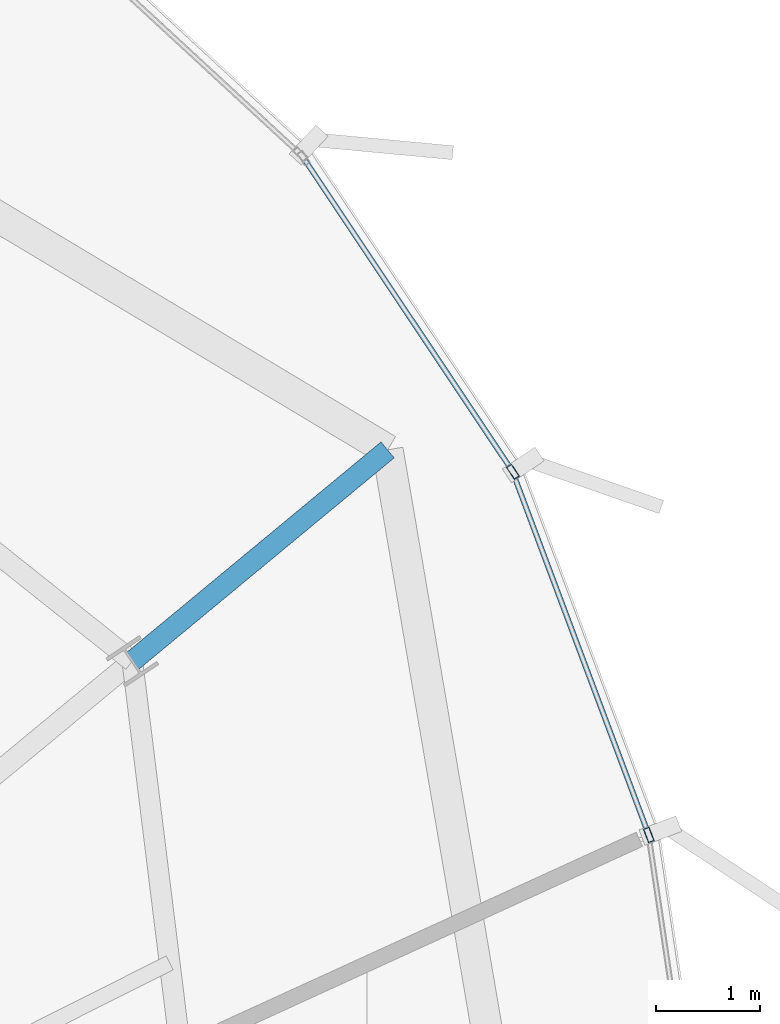
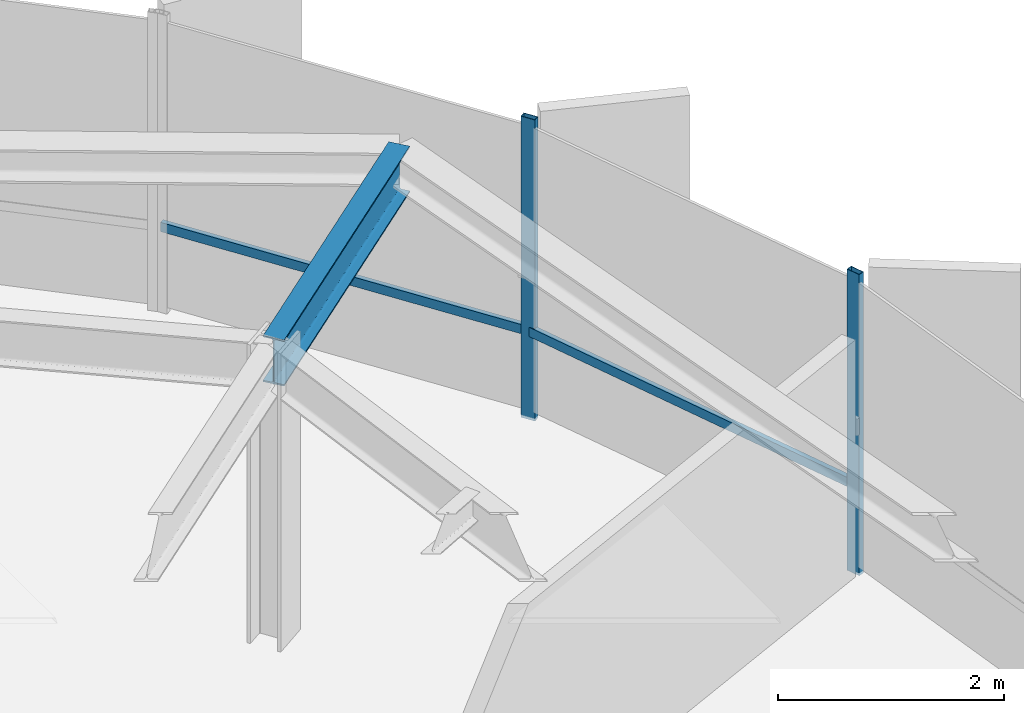
# One storey, part 27 of 36: 4 members, 1 beam, 1 element without a shape of its own.
"""IFC4 building model written with IfcOpenShell, lengths in metres."""

from ifc_helpers import new_model, si_unit, direction, frame, origin, origin_2d, place, context, subcontext, project, spatial, hollow_rectangle, i_section, extrude, source, transform, mapped, material, layer, layer_set, material_profile, profile_set, type_object, element, aggregate, save


model = new_model("IFC4")

# Units and contexts
model_context = context("Model", 3, precision=1e-05, world=origin(), true_north=direction((0.0, 1.0)))
body_context = subcontext(model_context, "Body", "Model", "MODEL_VIEW")
ifc_project = project(units=[si_unit("LENGTHUNIT", "METRE"), si_unit("AREAUNIT", "SQUARE_METRE"), si_unit("VOLUMEUNIT", "CUBIC_METRE"), si_unit("PLANEANGLEUNIT", "RADIAN"), si_unit("MASSUNIT", "GRAM", prefix="KILO"), si_unit("THERMODYNAMICTEMPERATUREUNIT", "KELVIN")], contexts=[model_context])

# Site, building, storey
site_placement = place(None, origin())
site = spatial("IfcSite", under=ifc_project, at=site_placement, CompositionType="ELEMENT")
building_placement = place(site_placement, origin())
building = spatial("IfcBuilding", under=site, at=building_placement, Name="Kethvar Cultural Tower", CompositionType="ELEMENT")
storey_placement = place(building_placement, frame((0.0, 0.0, 197.39990234375)))
storey = spatial("IfcBuildingStorey", under=building, at=storey_placement, Name="L51", CompositionType="ELEMENT", Elevation=197.39990234375)

# Beam
ifc_material_1 = material(Name="Steel S355J2", Category="steel")
ifc_material_profile_1 = material_profile(ifc_material_1, i_section(OverallWidth=0.199951171875, OverallDepth=0.5, WebThickness=0.01025390625, FlangeThickness=0.01611328125, FilletRadius=0.02099609375, at=origin_2d()), Name="Steel S355J2 — IPE500")
ifc_profile_set_1 = profile_set([ifc_material_profile_1], Name="Steel S355J2 — IPE500")
beam_type = type_object("IfcBeamType", Name="BM-IPE500", PredefinedType="BEAM", material=ifc_profile_set_1)
shared_shape_1 = source(origin(), body_context, "Body", "SweptSolid", [
    extrude(i_section(OverallWidth=0.199951171875, OverallDepth=0.5, WebThickness=0.01025390625, FlangeThickness=0.01611328125, FilletRadius=0.02099609375, at=origin_2d()), origin(), (0.0, 0.0, 1.0), 3.199951171875),
])
beam_placement = place(storey_placement, frame((65.504150390625, 40.297607421875, 3.008056640625), z_axis=(0.770324538831, 0.637652024913, 0.0), x_axis=(-0.637652024913, 0.770324538831, 0.0)))
element("IfcBeam", 1, at=beam_placement, inside=storey, type_object=beam_type, Name="L51 Perimeter Cantilever Beam RC-02", PredefinedType="BEAM", context=body_context, shape_type="MappedRepresentation", body=[
    mapped(shared_shape_1, transform((0.0, 0.0, 0.0), scale=1.0)),
])

# Curtain wall, members
ifc_material_2 = material(Name="Aluminium 6063-T6", Category="aluminium")
ifc_layer = layer(ifc_material_2, 0.179931640625, Name="Aluminium 6063-T6", Category="aluminium")
ifc_layer_set = layer_set([ifc_layer], Name="Aluminium 6063-T6 (180 mm)")
curtain_wall_type = type_object("IfcCurtainWallType", Name="CW-SYS-04-Z34", PredefinedType="NOTDEFINED", material=ifc_layer_set)
curtain_wall_placement = place(storey_placement, origin())
curtain_wall = element("IfcCurtainWall", 2, at=curtain_wall_placement, inside=storey, type_object=curtain_wall_type, Name="L51 Curtain Wall Run 06", PredefinedType="NOTDEFINED")
ifc_material_profile_2 = material_profile(ifc_material_2, hollow_rectangle(XDim=0.06005859375, YDim=0.139892578125, WallThickness=0.0048828125, at=origin_2d()), Name="Aluminium 6063-T6 — RHS140x60x5")
ifc_profile_set_2 = profile_set([ifc_material_profile_2], Name="Aluminium 6063-T6 — RHS140x60x5")
member_type_1 = type_object("IfcMemberType", Name="CW-SYS-04-Z34-MUL", PredefinedType="MULLION", material=ifc_profile_set_2)
shared_shape_2 = source(origin(), body_context, "Body", "SweptSolid", [
    extrude(hollow_rectangle(XDim=0.06005859375, YDim=0.139892578125, WallThickness=0.0048828125, at=origin_2d()), origin(), (0.0, 0.0, 1.0), 3.260009765625),
])
member_1_placement = place(storey_placement, frame((70.490966796875, 38.619873046875, 0.0), z_axis=(0.0, 0.0, 1.0), x_axis=(-0.93634171061, -0.351090018331, 0.0)))
member_1 = element("IfcMember", 3, at=member_1_placement, type_object=member_type_1, Name="CW-L51-R06 Mullion 5", PredefinedType="MULLION", context=body_context, shape_type="MappedRepresentation", body=[
    mapped(shared_shape_2, transform((0.0, 0.0, 0.0), scale=1.0)),
])
member_2_placement = place(storey_placement, frame((69.17919921875, 42.126220703125, 0.0), z_axis=(0.0, 0.0, 1.0), x_axis=(-0.831857270839, -0.554989622383, 0.0)))
member_2 = element("IfcMember", 4, at=member_2_placement, type_object=member_type_1, Name="CW-L51-R06 Mullion 6", PredefinedType="MULLION", context=body_context, shape_type="MappedRepresentation", body=[
    mapped(shared_shape_2, transform((0.0, 0.0, 0.0), scale=1.0)),
])
ifc_material_profile_3 = material_profile(ifc_material_2, hollow_rectangle(XDim=0.050048828125, YDim=0.10009765625, WallThickness=0.00390625, at=origin_2d()), Name="Aluminium 6063-T6 — RHS100x50x4")
ifc_profile_set_3 = profile_set([ifc_material_profile_3], Name="Aluminium 6063-T6 — RHS100x50x4")
member_type_2 = type_object("IfcMemberType", Name="CW-SYS-04-Z34-TRN", PredefinedType="USERDEFINED", material=ifc_profile_set_3)
shared_shape_3 = source(origin(), body_context, "Body", "SweptSolid", [
    extrude(hollow_rectangle(XDim=0.050048828125, YDim=0.10009765625, WallThickness=0.00390625, at=origin_2d()), origin(), (0.0, 0.0, 1.0), 3.68212890625),
])
member_3_placement = place(storey_placement, frame((70.4755859375, 38.66015625, 0.9501953125), z_axis=(-0.351021710416, 0.936367320455, 0.0), x_axis=(-0.936367320455, -0.351021710416, 0.0)))
member_3 = element("IfcMember", 5, at=member_3_placement, type_object=member_type_2, Name="CW-L51-R06 Transom 5", ObjectType="TRANSOM", PredefinedType="USERDEFINED", context=body_context, shape_type="MappedRepresentation", body=[
    mapped(shared_shape_3, transform((0.0, 0.0, 0.0), scale=1.0)),
])
shared_shape_4 = source(origin(), body_context, "Body", "SweptSolid", [
    extrude(hollow_rectangle(XDim=0.050048828125, YDim=0.10009765625, WallThickness=0.00390625, at=origin_2d()), origin(), (0.0, 0.0, 1.0), 3.5927734375),
])
member_4_placement = place(storey_placement, frame((69.1552734375, 42.162109375, 0.9501953125), z_axis=(-0.554966750007, 0.831872530131, 0.0), x_axis=(-0.831872530131, -0.554966750007, 0.0)))
member_4 = element("IfcMember", 6, at=member_4_placement, type_object=member_type_2, Name="CW-L51-R06 Transom 6", ObjectType="TRANSOM", PredefinedType="USERDEFINED", context=body_context, shape_type="MappedRepresentation", body=[
    mapped(shared_shape_4, transform((0.0, 0.0, 0.0), scale=1.0)),
])
aggregate(curtain_wall, [member_1, member_2, member_3, member_4])

save(model, "model.ifc")
